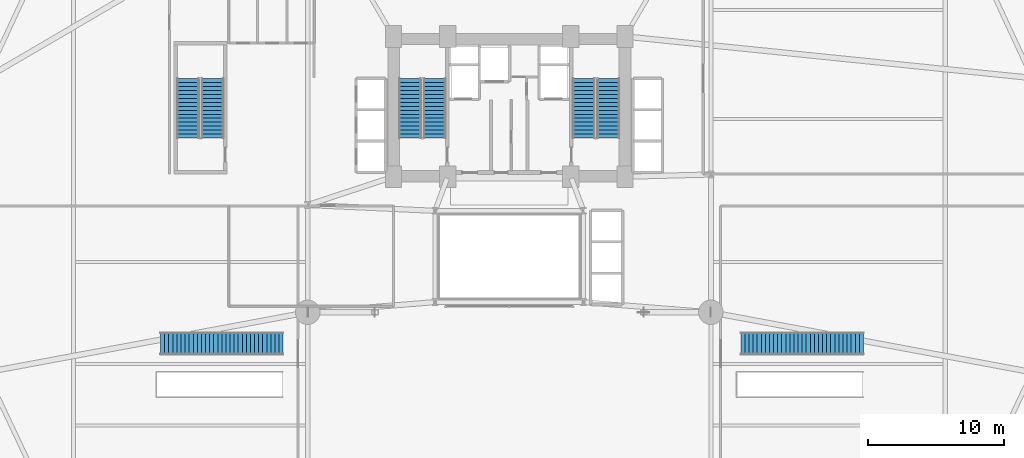
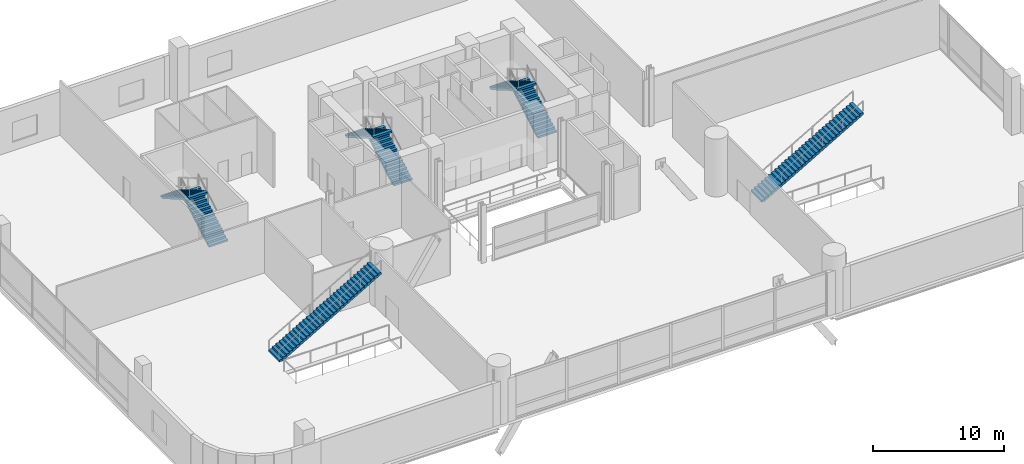
# One storey, part 33 of 40: 8 stair flights, 5 elements without a shape of their own.
"""IFC4 building model written with IfcOpenShell, lengths in metres."""

from ifc_helpers import new_model, si_unit, direction, frame, origin, place, context, subcontext, project, spatial, polyline, outline, extrude, material, type_object, element, aggregate, save


model = new_model("IFC4")

# Units and contexts
model_context = context("Model", 3, precision=1e-05, world=origin(), true_north=direction((0.0, 1.0)))
body_context = subcontext(model_context, "Body", "Model", "MODEL_VIEW")
ifc_project = project(units=[si_unit("LENGTHUNIT", "METRE"), si_unit("AREAUNIT", "SQUARE_METRE"), si_unit("VOLUMEUNIT", "CUBIC_METRE"), si_unit("PLANEANGLEUNIT", "RADIAN"), si_unit("MASSUNIT", "GRAM", prefix="KILO")], contexts=[model_context])

# Site, building, storey
site_placement = place(None, origin())
site = spatial("IfcSite", under=ifc_project, at=site_placement, CompositionType="ELEMENT")
building_placement = place(site_placement, origin())
building = spatial("IfcBuilding", under=site, at=building_placement, Name="Varnelok Gate Tower", CompositionType="ELEMENT")
storey_placement = place(building_placement, frame((0.0, 0.0, 5.39990234375)))
storey = spatial("IfcBuildingStorey", under=building, at=storey_placement, Name="L01", CompositionType="ELEMENT", Elevation=5.39990234375)

# Stair, stair flights
ifc_material_1 = material(Name="Concrete C50/60", Category="concrete")
stair_type_1 = type_object("IfcStairType", Name="STR-CORE-1650", PredefinedType="HALF_TURN_STAIR", material=ifc_material_1)
stair_1_placement = place(storey_placement, origin())
stair_1 = element("IfcStair", 1, at=stair_1_placement, inside=storey, type_object=stair_type_1, Name="L01 Exit Stair ST-1", PredefinedType="HALF_TURN_STAIR")
stair_flight_type_1 = type_object("IfcStairFlightType", Name="SFL-CORE-1650", PredefinedType="STRAIGHT", material=ifc_material_1)
stair_flight_1_placement = place(storey_placement, frame((33.72509765625, 31.60009765625, 0.0), z_axis=(0.0, 0.0, 1.0), x_axis=(0.0, 1.0, 0.0)))
stair_flight_1 = element("IfcStairFlight", 2, at=stair_flight_1_placement, type_object=stair_flight_type_1, Name="ST-1 flight 1", NumberOfRisers=16, NumberOfTreads=15, PredefinedType="STRAIGHT", RiserHeight=0.16875, TreadLength=0.29, context=body_context, shape_type="SweptSolid", body=[
    extrude(outline(polyline([(0.0, 0.0), (0.0, 0.168701171875), (0.2900390625, 0.168701171875), (0.2900390625, 0.33740234375), (0.580078125, 0.33740234375), (0.580078125, 0.50634765625), (0.8701171875, 0.50634765625), (0.8701171875, 0.675048828125), (1.159912109375, 0.675048828125), (1.159912109375, 0.84375), (1.449951171875, 0.84375), (1.449951171875, 1.012451171875), (1.739990234375, 1.012451171875), (1.739990234375, 1.18115234375), (2.030029296875, 1.18115234375), (2.030029296875, 1.35009765625), (2.320068359375, 1.35009765625), (2.320068359375, 1.518798828125), (2.610107421875, 1.518798828125), (2.610107421875, 1.6875), (2.89990234375, 1.6875), (2.89990234375, 1.856201171875), (3.18994140625, 1.856201171875), (3.18994140625, 2.02490234375), (3.47998046875, 2.02490234375), (3.47998046875, 2.19384765625), (3.77001953125, 2.19384765625), (3.77001953125, 2.362548828125), (4.06005859375, 2.362548828125), (4.06005859375, 2.53125), (4.35009765625, 2.53125), (4.35009765625, 2.699951171875), (4.35009765625, 2.35791015625), (0.298095703125, 0.0), (0.0, 0.0)])), frame((0.0, 0.824951171875, 0.0), z_axis=(0.0, -1.0, 0.0), x_axis=(1.0, 0.0, 0.0)), (0.0, 0.0, 1.0), 1.64990234375),
])
stair_flight_2_placement = place(storey_placement, frame((31.925048828125, 35.949951171875, 2.7001953125), z_axis=(0.0, 0.0, 1.0), x_axis=(0.0, -1.0, 0.0)))
stair_flight_2 = element("IfcStairFlight", 3, at=stair_flight_2_placement, type_object=stair_flight_type_1, Name="ST-1 flight 2", NumberOfRisers=16, NumberOfTreads=15, PredefinedType="STRAIGHT", RiserHeight=0.16875, TreadLength=0.29, context=body_context, shape_type="SweptSolid", body=[
    extrude(outline(polyline([(0.0, 0.0), (0.0, 0.168701171875), (0.2900390625, 0.168701171875), (0.2900390625, 0.33740234375), (0.580078125, 0.33740234375), (0.580078125, 0.50634765625), (0.8701171875, 0.50634765625), (0.8701171875, 0.675048828125), (1.159912109375, 0.675048828125), (1.159912109375, 0.84375), (1.449951171875, 0.84375), (1.449951171875, 1.012451171875), (1.739990234375, 1.012451171875), (1.739990234375, 1.18115234375), (2.030029296875, 1.18115234375), (2.030029296875, 1.35009765625), (2.320068359375, 1.35009765625), (2.320068359375, 1.518798828125), (2.610107421875, 1.518798828125), (2.610107421875, 1.6875), (2.89990234375, 1.6875), (2.89990234375, 1.856201171875), (3.18994140625, 1.856201171875), (3.18994140625, 2.02490234375), (3.47998046875, 2.02490234375), (3.47998046875, 2.19384765625), (3.77001953125, 2.19384765625), (3.77001953125, 2.362548828125), (4.06005859375, 2.362548828125), (4.06005859375, 2.53125), (4.35009765625, 2.53125), (4.35009765625, 2.699951171875), (4.35009765625, 2.35791015625), (0.298095703125, 0.0), (0.0, 0.0)])), frame((0.0, 0.824951171875, 0.0), z_axis=(0.0, -1.0, 0.0), x_axis=(1.0, 0.0, 0.0)), (0.0, 0.0, 1.0), 1.64990234375),
])
aggregate(stair_1, [stair_flight_1, stair_flight_2])

stair_2_placement = place(storey_placement, origin())
stair_2 = element("IfcStair", 4, at=stair_2_placement, inside=storey, type_object=stair_type_1, Name="L01 Exit Stair ST-2", PredefinedType="HALF_TURN_STAIR")
stair_flight_3_placement = place(storey_placement, frame((46.47509765625, 31.60009765625, 0.0), z_axis=(0.0, 0.0, 1.0), x_axis=(0.0, 1.0, 0.0)))
stair_flight_3 = element("IfcStairFlight", 5, at=stair_flight_3_placement, type_object=stair_flight_type_1, Name="ST-2 flight 1", NumberOfRisers=16, NumberOfTreads=15, PredefinedType="STRAIGHT", RiserHeight=0.16875, TreadLength=0.29, context=body_context, shape_type="SweptSolid", body=[
    extrude(outline(polyline([(0.0, 0.0), (0.0, 0.168701171875), (0.2900390625, 0.168701171875), (0.2900390625, 0.33740234375), (0.580078125, 0.33740234375), (0.580078125, 0.50634765625), (0.8701171875, 0.50634765625), (0.8701171875, 0.675048828125), (1.159912109375, 0.675048828125), (1.159912109375, 0.84375), (1.449951171875, 0.84375), (1.449951171875, 1.012451171875), (1.739990234375, 1.012451171875), (1.739990234375, 1.18115234375), (2.030029296875, 1.18115234375), (2.030029296875, 1.35009765625), (2.320068359375, 1.35009765625), (2.320068359375, 1.518798828125), (2.610107421875, 1.518798828125), (2.610107421875, 1.6875), (2.89990234375, 1.6875), (2.89990234375, 1.856201171875), (3.18994140625, 1.856201171875), (3.18994140625, 2.02490234375), (3.47998046875, 2.02490234375), (3.47998046875, 2.19384765625), (3.77001953125, 2.19384765625), (3.77001953125, 2.362548828125), (4.06005859375, 2.362548828125), (4.06005859375, 2.53125), (4.35009765625, 2.53125), (4.35009765625, 2.699951171875), (4.35009765625, 2.35791015625), (0.298095703125, 0.0), (0.0, 0.0)])), frame((0.0, 0.824951171875, 0.0), z_axis=(0.0, -1.0, 0.0), x_axis=(1.0, 0.0, 0.0)), (0.0, 0.0, 1.0), 1.64990234375),
])
stair_flight_4_placement = place(storey_placement, frame((44.675048828125, 35.949951171875, 2.7001953125), z_axis=(0.0, 0.0, 1.0), x_axis=(0.0, -1.0, 0.0)))
stair_flight_4 = element("IfcStairFlight", 6, at=stair_flight_4_placement, type_object=stair_flight_type_1, Name="ST-2 flight 2", NumberOfRisers=16, NumberOfTreads=15, PredefinedType="STRAIGHT", RiserHeight=0.16875, TreadLength=0.29, context=body_context, shape_type="SweptSolid", body=[
    extrude(outline(polyline([(0.0, 0.0), (0.0, 0.168701171875), (0.2900390625, 0.168701171875), (0.2900390625, 0.33740234375), (0.580078125, 0.33740234375), (0.580078125, 0.50634765625), (0.8701171875, 0.50634765625), (0.8701171875, 0.675048828125), (1.159912109375, 0.675048828125), (1.159912109375, 0.84375), (1.449951171875, 0.84375), (1.449951171875, 1.012451171875), (1.739990234375, 1.012451171875), (1.739990234375, 1.18115234375), (2.030029296875, 1.18115234375), (2.030029296875, 1.35009765625), (2.320068359375, 1.35009765625), (2.320068359375, 1.518798828125), (2.610107421875, 1.518798828125), (2.610107421875, 1.6875), (2.89990234375, 1.6875), (2.89990234375, 1.856201171875), (3.18994140625, 1.856201171875), (3.18994140625, 2.02490234375), (3.47998046875, 2.02490234375), (3.47998046875, 2.19384765625), (3.77001953125, 2.19384765625), (3.77001953125, 2.362548828125), (4.06005859375, 2.362548828125), (4.06005859375, 2.53125), (4.35009765625, 2.53125), (4.35009765625, 2.699951171875), (4.35009765625, 2.35791015625), (0.298095703125, 0.0), (0.0, 0.0)])), frame((0.0, 0.824951171875, 0.0), z_axis=(0.0, -1.0, 0.0), x_axis=(1.0, 0.0, 0.0)), (0.0, 0.0, 1.0), 1.64990234375),
])
aggregate(stair_2, [stair_flight_3, stair_flight_4])

stair_3_placement = place(storey_placement, origin())
stair_3 = element("IfcStair", 7, at=stair_3_placement, inside=storey, type_object=stair_type_1, Name="L01 Podium Exit Stair ST-3", PredefinedType="HALF_TURN_STAIR")
stair_flight_5_placement = place(storey_placement, frame((17.425048828125, 31.60009765625, 0.0), z_axis=(0.0, 0.0, 1.0), x_axis=(0.0, 1.0, 0.0)))
stair_flight_5 = element("IfcStairFlight", 8, at=stair_flight_5_placement, type_object=stair_flight_type_1, Name="ST-3 flight 1", NumberOfRisers=16, NumberOfTreads=15, PredefinedType="STRAIGHT", RiserHeight=0.16875, TreadLength=0.29, context=body_context, shape_type="SweptSolid", body=[
    extrude(outline(polyline([(0.0, 0.0), (0.0, 0.168701171875), (0.2900390625, 0.168701171875), (0.2900390625, 0.33740234375), (0.580078125, 0.33740234375), (0.580078125, 0.50634765625), (0.8701171875, 0.50634765625), (0.8701171875, 0.675048828125), (1.159912109375, 0.675048828125), (1.159912109375, 0.84375), (1.449951171875, 0.84375), (1.449951171875, 1.012451171875), (1.739990234375, 1.012451171875), (1.739990234375, 1.18115234375), (2.030029296875, 1.18115234375), (2.030029296875, 1.35009765625), (2.320068359375, 1.35009765625), (2.320068359375, 1.518798828125), (2.610107421875, 1.518798828125), (2.610107421875, 1.6875), (2.89990234375, 1.6875), (2.89990234375, 1.856201171875), (3.18994140625, 1.856201171875), (3.18994140625, 2.02490234375), (3.47998046875, 2.02490234375), (3.47998046875, 2.19384765625), (3.77001953125, 2.19384765625), (3.77001953125, 2.362548828125), (4.06005859375, 2.362548828125), (4.06005859375, 2.53125), (4.35009765625, 2.53125), (4.35009765625, 2.699951171875), (4.35009765625, 2.35791015625), (0.298095703125, 0.0), (0.0, 0.0)])), frame((0.0, 0.824951171875, 0.0), z_axis=(0.0, -1.0, 0.0), x_axis=(1.0, 0.0, 0.0)), (0.0, 0.0, 1.0), 1.64990234375),
])
stair_flight_6_placement = place(storey_placement, frame((15.625, 35.949951171875, 2.7001953125), z_axis=(0.0, 0.0, 1.0), x_axis=(0.0, -1.0, 0.0)))
stair_flight_6 = element("IfcStairFlight", 9, at=stair_flight_6_placement, type_object=stair_flight_type_1, Name="ST-3 flight 2", NumberOfRisers=16, NumberOfTreads=15, PredefinedType="STRAIGHT", RiserHeight=0.16875, TreadLength=0.29, context=body_context, shape_type="SweptSolid", body=[
    extrude(outline(polyline([(0.0, 0.0), (0.0, 0.168701171875), (0.2900390625, 0.168701171875), (0.2900390625, 0.33740234375), (0.580078125, 0.33740234375), (0.580078125, 0.50634765625), (0.8701171875, 0.50634765625), (0.8701171875, 0.675048828125), (1.159912109375, 0.675048828125), (1.159912109375, 0.84375), (1.449951171875, 0.84375), (1.449951171875, 1.012451171875), (1.739990234375, 1.012451171875), (1.739990234375, 1.18115234375), (2.030029296875, 1.18115234375), (2.030029296875, 1.35009765625), (2.320068359375, 1.35009765625), (2.320068359375, 1.518798828125), (2.610107421875, 1.518798828125), (2.610107421875, 1.6875), (2.89990234375, 1.6875), (2.89990234375, 1.856201171875), (3.18994140625, 1.856201171875), (3.18994140625, 2.02490234375), (3.47998046875, 2.02490234375), (3.47998046875, 2.19384765625), (3.77001953125, 2.19384765625), (3.77001953125, 2.362548828125), (4.06005859375, 2.362548828125), (4.06005859375, 2.53125), (4.35009765625, 2.53125), (4.35009765625, 2.699951171875), (4.35009765625, 2.35791015625), (0.298095703125, 0.0), (0.0, 0.0)])), frame((0.0, 0.824951171875, 0.0), z_axis=(0.0, -1.0, 0.0), x_axis=(1.0, 0.0, 0.0)), (0.0, 0.0, 1.0), 1.64990234375),
])
aggregate(stair_3, [stair_flight_5, stair_flight_6])

# Stair, stair flight
ifc_material_2 = material(Name="Galvanized Steel Grade S350GD", Category="steel")
stair_type_2 = type_object("IfcStairType", Name="STR-FEAT-1550", PredefinedType="STRAIGHT_RUN_STAIR", material=ifc_material_2)
stair_4_placement = place(storey_placement, origin())
stair_4 = element("IfcStair", 10, at=stair_4_placement, inside=storey, type_object=stair_type_2, Name="Feature Stair ST-4 (L01 to L02)", PredefinedType="STRAIGHT_RUN_STAIR")
stair_flight_type_2 = type_object("IfcStairFlightType", Name="SFL-FEAT-1550", PredefinedType="STRAIGHT", material=ifc_material_2)
stair_flight_7_placement = place(storey_placement, frame((13.60009765625, 16.5, 0.0), z_axis=(0.0, 0.0, 1.0), x_axis=(1.0, 0.0, 0.0)))
stair_flight_7 = element("IfcStairFlight", 11, at=stair_flight_7_placement, type_object=stair_flight_type_2, Name="ST-4 flight 1", NumberOfRisers=31, NumberOfTreads=30, PredefinedType="STRAIGHT", RiserHeight=0.174193548, TreadLength=0.3, context=body_context, shape_type="SweptSolid", body=[
    extrude(outline(polyline([(0.0, 0.0), (0.0, 0.174072265625), (0.300048828125, 0.174072265625), (0.300048828125, 0.348388671875), (0.60009765625, 0.348388671875), (0.60009765625, 0.5224609375), (0.89990234375, 0.5224609375), (0.89990234375, 0.69677734375), (1.199951171875, 0.69677734375), (1.199951171875, 0.870849609375), (1.5, 0.870849609375), (1.5, 1.045166015625), (1.800048828125, 1.045166015625), (1.800048828125, 1.21923828125), (2.10009765625, 1.21923828125), (2.10009765625, 1.3935546875), (2.39990234375, 1.3935546875), (2.39990234375, 1.567626953125), (2.699951171875, 1.567626953125), (2.699951171875, 1.741943359375), (3.0, 1.741943359375), (3.0, 1.916015625), (3.300048828125, 1.916015625), (3.300048828125, 2.09033203125), (3.60009765625, 2.09033203125), (3.60009765625, 2.264404296875), (3.89990234375, 2.264404296875), (3.89990234375, 2.438720703125), (4.199951171875, 2.438720703125), (4.199951171875, 2.61279296875), (4.5, 2.61279296875), (4.5, 2.787109375), (4.800048828125, 2.787109375), (4.800048828125, 2.961181640625), (5.10009765625, 2.961181640625), (5.10009765625, 3.135498046875), (5.39990234375, 3.135498046875), (5.39990234375, 3.3095703125), (5.699951171875, 3.3095703125), (5.699951171875, 3.48388671875), (6.0, 3.48388671875), (6.0, 3.657958984375), (6.300048828125, 3.657958984375), (6.300048828125, 3.832275390625), (6.60009765625, 3.832275390625), (6.60009765625, 4.00634765625), (6.89990234375, 4.00634765625), (6.89990234375, 4.1806640625), (7.199951171875, 4.1806640625), (7.199951171875, 4.354736328125), (7.5, 4.354736328125), (7.5, 4.529052734375), (7.800048828125, 4.529052734375), (7.800048828125, 4.703125), (8.10009765625, 4.703125), (8.10009765625, 4.87744140625), (8.39990234375, 4.87744140625), (8.39990234375, 5.051513671875), (8.699951171875, 5.051513671875), (8.699951171875, 5.225830078125), (9.0, 5.225830078125), (9.0, 5.39990234375), (9.0, 5.052490234375), (0.298583984375, 0.0), (0.0, 0.0)])), frame((0.0, 0.824951171875, 0.0), z_axis=(0.0, -1.0, 0.0), x_axis=(1.0, 0.0, 0.0)), (0.0, 0.0, 1.0), 1.64990234375),
])
aggregate(stair_4, [stair_flight_7])

stair_5_placement = place(storey_placement, origin())
stair_5 = element("IfcStair", 12, at=stair_5_placement, inside=storey, type_object=stair_type_2, Name="Feature Stair ST-5 (L01 to L02)", PredefinedType="STRAIGHT_RUN_STAIR")
stair_flight_8_placement = place(storey_placement, frame((56.199951171875, 16.5, 0.0), z_axis=(0.0, 0.0, 1.0), x_axis=(1.0, 0.0, 0.0)))
stair_flight_8 = element("IfcStairFlight", 13, at=stair_flight_8_placement, type_object=stair_flight_type_2, Name="ST-5 flight 1", NumberOfRisers=31, NumberOfTreads=30, PredefinedType="STRAIGHT", RiserHeight=0.174193548, TreadLength=0.3, context=body_context, shape_type="SweptSolid", body=[
    extrude(outline(polyline([(0.0, 0.0), (0.0, 0.174072265625), (0.300048828125, 0.174072265625), (0.300048828125, 0.348388671875), (0.60009765625, 0.348388671875), (0.60009765625, 0.5224609375), (0.89990234375, 0.5224609375), (0.89990234375, 0.69677734375), (1.199951171875, 0.69677734375), (1.199951171875, 0.870849609375), (1.5, 0.870849609375), (1.5, 1.045166015625), (1.800048828125, 1.045166015625), (1.800048828125, 1.21923828125), (2.10009765625, 1.21923828125), (2.10009765625, 1.3935546875), (2.39990234375, 1.3935546875), (2.39990234375, 1.567626953125), (2.699951171875, 1.567626953125), (2.699951171875, 1.741943359375), (3.0, 1.741943359375), (3.0, 1.916015625), (3.300048828125, 1.916015625), (3.300048828125, 2.09033203125), (3.60009765625, 2.09033203125), (3.60009765625, 2.264404296875), (3.89990234375, 2.264404296875), (3.89990234375, 2.438720703125), (4.199951171875, 2.438720703125), (4.199951171875, 2.61279296875), (4.5, 2.61279296875), (4.5, 2.787109375), (4.800048828125, 2.787109375), (4.800048828125, 2.961181640625), (5.10009765625, 2.961181640625), (5.10009765625, 3.135498046875), (5.39990234375, 3.135498046875), (5.39990234375, 3.3095703125), (5.699951171875, 3.3095703125), (5.699951171875, 3.48388671875), (6.0, 3.48388671875), (6.0, 3.657958984375), (6.300048828125, 3.657958984375), (6.300048828125, 3.832275390625), (6.60009765625, 3.832275390625), (6.60009765625, 4.00634765625), (6.89990234375, 4.00634765625), (6.89990234375, 4.1806640625), (7.199951171875, 4.1806640625), (7.199951171875, 4.354736328125), (7.5, 4.354736328125), (7.5, 4.529052734375), (7.800048828125, 4.529052734375), (7.800048828125, 4.703125), (8.10009765625, 4.703125), (8.10009765625, 4.87744140625), (8.39990234375, 4.87744140625), (8.39990234375, 5.051513671875), (8.699951171875, 5.051513671875), (8.699951171875, 5.225830078125), (9.0, 5.225830078125), (9.0, 5.39990234375), (9.0, 5.052490234375), (0.298583984375, 0.0), (0.0, 0.0)])), frame((0.0, 0.824951171875, 0.0), z_axis=(0.0, -1.0, 0.0), x_axis=(1.0, 0.0, 0.0)), (0.0, 0.0, 1.0), 1.64990234375),
])
aggregate(stair_5, [stair_flight_8])

save(model, "model.ifc")
